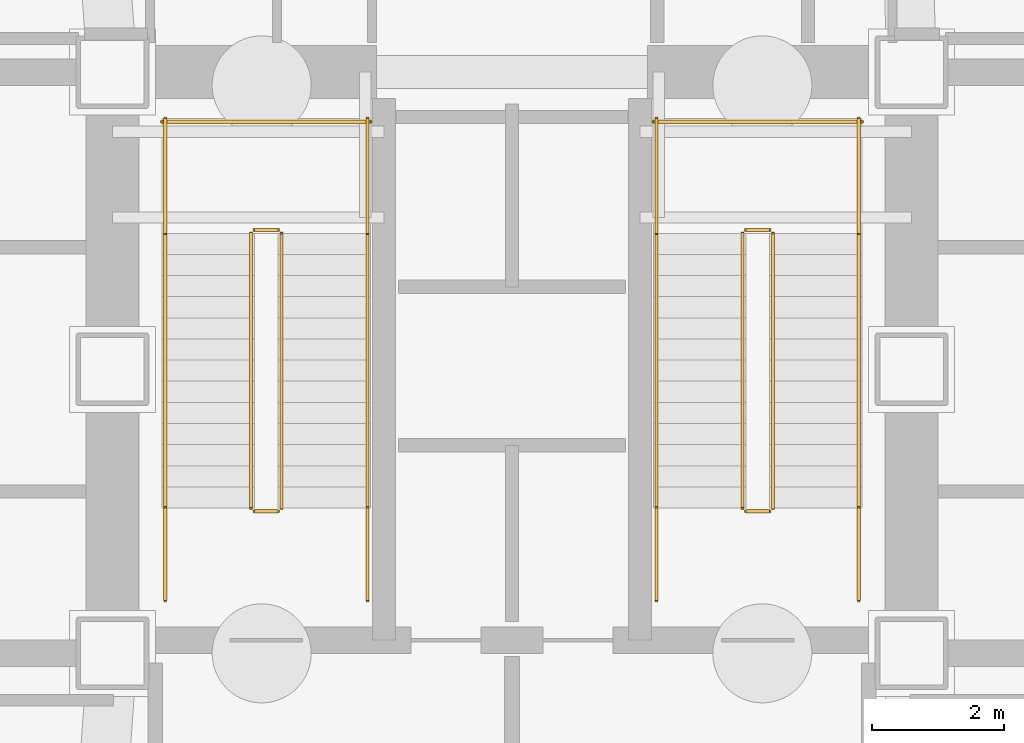
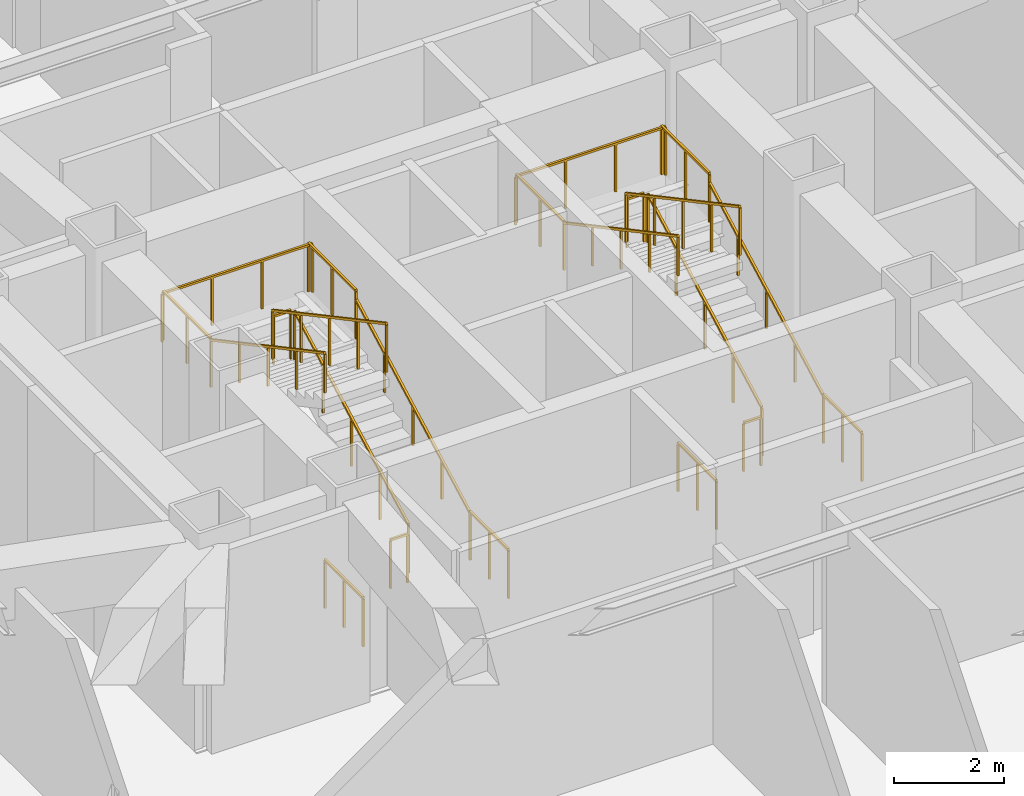
# One storey, part 7 of 7: 22 railings.
"""IFC4 building model written with IfcOpenShell, lengths in metres."""

from ifc_helpers import new_model, si_unit, direction, frame, origin, origin_2d, place, context, subcontext, project, spatial, rectangle, extrude, material, layer, layer_set, type_object, element, save


model = new_model("IFC4")

# Units and contexts
model_context = context("Model", 3, precision=1e-05, world=origin(), true_north=direction((0.0, 1.0)))
body_context = subcontext(model_context, "Body", "Model", "MODEL_VIEW")
ifc_project = project(units=[si_unit("LENGTHUNIT", "METRE"), si_unit("AREAUNIT", "SQUARE_METRE"), si_unit("VOLUMEUNIT", "CUBIC_METRE"), si_unit("PLANEANGLEUNIT", "RADIAN"), si_unit("MASSUNIT", "GRAM", prefix="KILO")], contexts=[model_context])

# Site, building, storey
site_placement = place(None, origin())
site = spatial("IfcSite", under=ifc_project, at=site_placement, CompositionType="ELEMENT")
building_placement = place(site_placement, origin())
building = spatial("IfcBuilding", under=site, at=building_placement, Name="Rocaltana Carrier Exchange", CompositionType="ELEMENT")
storey_placement = place(building_placement, frame((0.0, 0.0, -9.60009765625)))
storey = spatial("IfcBuildingStorey", under=building, at=storey_placement, Name="Lower Basement", CompositionType="ELEMENT", Elevation=-9.60009765625)

# Railings
ifc_material_1 = material(Name="Brushed Architectural Stainless Tube", Category="steel")
ifc_layer_1 = layer(ifc_material_1, 0.048095703125)
ifc_layer_set_1 = layer_set([ifc_layer_1], Name="Brushed Architectural Stainless Tube")
railing_type_1 = type_object("IfcRailingType", Name="Stair Wall Handrail 920", PredefinedType="HANDRAIL", material=ifc_layer_set_1)
railing_1_placement = place(storey_placement, frame((-2.18994140625, -2.10009765625, 0.171630859375)))
element("IfcRailing", 1, at=railing_1_placement, inside=storey, type_object=railing_type_1, Name="Lower Basement ST-1 stair handrail 1", PredefinedType="HANDRAIL", context=body_context, shape_type="SweptSolid", body=[
    extrude(rectangle(XDim=0.048095703125, YDim=0.048095703125, at=origin_2d()), frame((0.0, 0.0, 0.8759765625), z_axis=(0.0, 0.881492274372, 0.472198443689), x_axis=(-1.0, 0.0, 0.0)), (0.0, 0.0, 1.0), 4.719482421875),
    extrude(rectangle(XDim=0.0419921875, YDim=0.0419921875, at=origin_2d()), origin(), (0.0, 0.0, 1.0), 0.851806640625),
    extrude(rectangle(XDim=0.0419921875, YDim=0.0419921875, at=origin_2d()), frame((0.0, 1.0400390625, 0.55712890625)), (0.0, 0.0, 1.0), 0.851806640625),
    extrude(rectangle(XDim=0.0419921875, YDim=0.0419921875, at=origin_2d()), frame((0.0, 2.080078125, 1.1142578125)), (0.0, 0.0, 1.0), 0.851806640625),
    extrude(rectangle(XDim=0.0419921875, YDim=0.0419921875, at=origin_2d()), frame((0.0, 3.1201171875, 1.67138671875)), (0.0, 0.0, 1.0), 0.851806640625),
    extrude(rectangle(XDim=0.0419921875, YDim=0.0419921875, at=origin_2d()), frame((0.0, 4.16015625, 2.228515625)), (0.0, 0.0, 1.0), 0.851806640625),
])
railing_2_placement = place(storey_placement, frame((-5.25, 2.06005859375, 2.571533203125)))
element("IfcRailing", 2, at=railing_2_placement, inside=storey, type_object=railing_type_1, Name="Lower Basement ST-1 stair handrail 2", PredefinedType="HANDRAIL", context=body_context, shape_type="SweptSolid", body=[
    extrude(rectangle(XDim=0.048095703125, YDim=0.048095703125, at=origin_2d()), frame((0.0, 0.0, 0.8759765625), z_axis=(0.0, -0.881492274372, 0.472198443689), x_axis=(1.0, 0.0, 0.0)), (0.0, 0.0, 1.0), 4.719482421875),
    extrude(rectangle(XDim=0.0419921875, YDim=0.0419921875, at=origin_2d()), origin(), (0.0, 0.0, 1.0), 0.851806640625),
    extrude(rectangle(XDim=0.0419921875, YDim=0.0419921875, at=origin_2d()), frame((0.0, -1.0400390625, 0.55712890625)), (0.0, 0.0, 1.0), 0.851806640625),
    extrude(rectangle(XDim=0.0419921875, YDim=0.0419921875, at=origin_2d()), frame((0.0, -2.080078125, 1.1142578125)), (0.0, 0.0, 1.0), 0.851806640625),
    extrude(rectangle(XDim=0.0419921875, YDim=0.0419921875, at=origin_2d()), frame((0.0, -3.1201171875, 1.67138671875)), (0.0, 0.0, 1.0), 0.851806640625),
    extrude(rectangle(XDim=0.0419921875, YDim=0.0419921875, at=origin_2d()), frame((0.0, -4.16015625, 2.228515625)), (0.0, 0.0, 1.0), 0.851806640625),
])
railing_3_placement = place(storey_placement, frame((5.25, -2.10009765625, 0.171630859375)))
element("IfcRailing", 3, at=railing_3_placement, inside=storey, type_object=railing_type_1, Name="Lower Basement ST-2 stair handrail 1", PredefinedType="HANDRAIL", context=body_context, shape_type="SweptSolid", body=[
    extrude(rectangle(XDim=0.048095703125, YDim=0.048095703125, at=origin_2d()), frame((0.0, 0.0, 0.8759765625), z_axis=(0.0, 0.881492274372, 0.472198443689), x_axis=(-1.0, 0.0, 0.0)), (0.0, 0.0, 1.0), 4.719482421875),
    extrude(rectangle(XDim=0.0419921875, YDim=0.0419921875, at=origin_2d()), origin(), (0.0, 0.0, 1.0), 0.851806640625),
    extrude(rectangle(XDim=0.0419921875, YDim=0.0419921875, at=origin_2d()), frame((0.0, 1.0400390625, 0.55712890625)), (0.0, 0.0, 1.0), 0.851806640625),
    extrude(rectangle(XDim=0.0419921875, YDim=0.0419921875, at=origin_2d()), frame((0.0, 2.080078125, 1.1142578125)), (0.0, 0.0, 1.0), 0.851806640625),
    extrude(rectangle(XDim=0.0419921875, YDim=0.0419921875, at=origin_2d()), frame((0.0, 3.1201171875, 1.67138671875)), (0.0, 0.0, 1.0), 0.851806640625),
    extrude(rectangle(XDim=0.0419921875, YDim=0.0419921875, at=origin_2d()), frame((0.0, 4.16015625, 2.228515625)), (0.0, 0.0, 1.0), 0.851806640625),
])
railing_4_placement = place(storey_placement, frame((2.18994140625, 2.06005859375, 2.571533203125)))
element("IfcRailing", 4, at=railing_4_placement, inside=storey, type_object=railing_type_1, Name="Lower Basement ST-2 stair handrail 2", PredefinedType="HANDRAIL", context=body_context, shape_type="SweptSolid", body=[
    extrude(rectangle(XDim=0.048095703125, YDim=0.048095703125, at=origin_2d()), frame((0.0, 0.0, 0.8759765625), z_axis=(0.0, -0.881492274372, 0.472198443689), x_axis=(1.0, 0.0, 0.0)), (0.0, 0.0, 1.0), 4.719482421875),
    extrude(rectangle(XDim=0.0419921875, YDim=0.0419921875, at=origin_2d()), origin(), (0.0, 0.0, 1.0), 0.851806640625),
    extrude(rectangle(XDim=0.0419921875, YDim=0.0419921875, at=origin_2d()), frame((0.0, -1.0400390625, 0.55712890625)), (0.0, 0.0, 1.0), 0.851806640625),
    extrude(rectangle(XDim=0.0419921875, YDim=0.0419921875, at=origin_2d()), frame((0.0, -2.080078125, 1.1142578125)), (0.0, 0.0, 1.0), 0.851806640625),
    extrude(rectangle(XDim=0.0419921875, YDim=0.0419921875, at=origin_2d()), frame((0.0, -3.1201171875, 1.67138671875)), (0.0, 0.0, 1.0), 0.851806640625),
    extrude(rectangle(XDim=0.0419921875, YDim=0.0419921875, at=origin_2d()), frame((0.0, -4.16015625, 2.228515625)), (0.0, 0.0, 1.0), 0.851806640625),
])
ifc_material_2 = material(Name="Powder-Coated Aluminium 6063-T6", Category="aluminium")
ifc_layer_2 = layer(ifc_material_2, 0.048095703125)
ifc_layer_set_2 = layer_set([ifc_layer_2], Name="Powder-Coated Aluminium 6063-T6")
railing_type_2 = type_object("IfcRailingType", Name="Stair Well Guardrail 1100", PredefinedType="GUARDRAIL", material=ifc_layer_set_2)
railing_5_placement = place(storey_placement, frame((-3.489990234375, -2.10009765625, 0.171630859375)))
element("IfcRailing", 5, at=railing_5_placement, inside=storey, type_object=railing_type_2, Name="Lower Basement ST-1 stair guard 1", PredefinedType="GUARDRAIL", context=body_context, shape_type="SweptSolid", body=[
    extrude(rectangle(XDim=0.048095703125, YDim=0.048095703125, at=origin_2d()), frame((0.0, 0.0, 1.076171875), z_axis=(0.0, 0.881492274372, 0.472198443689), x_axis=(-1.0, 0.0, 0.0)), (0.0, 0.0, 1.0), 4.719482421875),
    extrude(rectangle(XDim=0.0419921875, YDim=0.0419921875, at=origin_2d()), origin(), (0.0, 0.0, 1.0), 1.052001953125),
    extrude(rectangle(XDim=0.0419921875, YDim=0.0419921875, at=origin_2d()), frame((0.0, 1.0400390625, 0.55712890625)), (0.0, 0.0, 1.0), 1.052001953125),
    extrude(rectangle(XDim=0.0419921875, YDim=0.0419921875, at=origin_2d()), frame((0.0, 2.080078125, 1.1142578125)), (0.0, 0.0, 1.0), 1.052001953125),
    extrude(rectangle(XDim=0.0419921875, YDim=0.0419921875, at=origin_2d()), frame((0.0, 3.1201171875, 1.67138671875)), (0.0, 0.0, 1.0), 1.052001953125),
    extrude(rectangle(XDim=0.0419921875, YDim=0.0419921875, at=origin_2d()), frame((0.0, 4.16015625, 2.228515625)), (0.0, 0.0, 1.0), 1.052001953125),
])
railing_6_placement = place(storey_placement, frame((-3.5400390625, 2.110107421875, 2.400146484375)))
element("IfcRailing", 6, at=railing_6_placement, inside=storey, type_object=railing_type_2, Name="Lower Basement ST-1 stair guard 2", PredefinedType="GUARDRAIL", context=body_context, shape_type="SweptSolid", body=[
    extrude(rectangle(XDim=0.048095703125, YDim=0.048095703125, at=origin_2d()), frame((0.0, 0.0, 1.076171875), z_axis=(-1.0, 0.0, 0.0), x_axis=(0.0, -1.0, 0.0)), (0.0, 0.0, 1.0), 0.35986328125),
    extrude(rectangle(XDim=0.0419921875, YDim=0.0419921875, at=origin_2d()), origin(), (0.0, 0.0, 1.0), 1.052001953125),
    extrude(rectangle(XDim=0.0419921875, YDim=0.0419921875, at=origin_2d()), frame((-0.35986328125, 0.0, 0.0)), (0.0, 0.0, 1.0), 1.052001953125),
])
for number, where, name in (
    (7, (-2.18994140625, 2.06005859375, 2.400146484375), "Lower Basement ST-1 stair guard 3"),
    (8, (-5.25, 2.06005859375, 2.400146484375), "Lower Basement ST-1 stair guard 4"),
):
    element("IfcRailing", number, at=place(storey_placement, frame(where)), inside=storey, type_object=railing_type_2, Name=name, PredefinedType="GUARDRAIL", context=body_context, shape_type="SweptSolid", body=[
        extrude(rectangle(XDim=0.048095703125, YDim=0.048095703125, at=origin_2d()), frame((0.0, 0.0, 1.076171875), z_axis=(0.0, 1.0, 0.0), x_axis=(-1.0, 0.0, 0.0)), (0.0, 0.0, 1.0), 1.739990234375),
        extrude(rectangle(XDim=0.0419921875, YDim=0.0419921875, at=origin_2d()), origin(), (0.0, 0.0, 1.0), 1.052001953125),
        extrude(rectangle(XDim=0.0419921875, YDim=0.0419921875, at=origin_2d()), frame((0.0, 0.8701171875, 0.0)), (0.0, 0.0, 1.0), 1.052001953125),
        extrude(rectangle(XDim=0.0419921875, YDim=0.0419921875, at=origin_2d()), frame((0.0, 1.739990234375, 0.0)), (0.0, 0.0, 1.0), 1.052001953125),
    ])
railing_7_placement = place(storey_placement, frame((-2.139892578125, 3.75, 2.400146484375)))
element("IfcRailing", 9, at=railing_7_placement, inside=storey, type_object=railing_type_2, Name="Lower Basement ST-1 stair guard 5", PredefinedType="GUARDRAIL", context=body_context, shape_type="SweptSolid", body=[
    extrude(rectangle(XDim=0.048095703125, YDim=0.048095703125, at=origin_2d()), frame((0.0, 0.0, 1.076171875), z_axis=(-1.0, 0.0, 0.0), x_axis=(0.0, -1.0, 0.0)), (0.0, 0.0, 1.0), 3.16015625),
    extrude(rectangle(XDim=0.0419921875, YDim=0.0419921875, at=origin_2d()), origin(), (0.0, 0.0, 1.0), 1.052001953125),
    extrude(rectangle(XDim=0.0419921875, YDim=0.0419921875, at=origin_2d()), frame((-1.053466796875, 0.0, 0.0)), (0.0, 0.0, 1.0), 1.052001953125),
    extrude(rectangle(XDim=0.0419921875, YDim=0.0419921875, at=origin_2d()), frame((-2.106689453125, 0.0, 0.0)), (0.0, 0.0, 1.0), 1.052001953125),
    extrude(rectangle(XDim=0.0419921875, YDim=0.0419921875, at=origin_2d()), frame((-3.16015625, 0.0, 0.0)), (0.0, 0.0, 1.0), 1.052001953125),
])
railing_8_placement = place(storey_placement, frame((-3.949951171875, 2.06005859375, 2.571533203125)))
element("IfcRailing", 10, at=railing_8_placement, inside=storey, type_object=railing_type_2, Name="Lower Basement ST-1 stair guard 6", PredefinedType="GUARDRAIL", context=body_context, shape_type="SweptSolid", body=[
    extrude(rectangle(XDim=0.048095703125, YDim=0.048095703125, at=origin_2d()), frame((0.0, 0.0, 1.076171875), z_axis=(0.0, -0.881492274372, 0.472198443689), x_axis=(1.0, 0.0, 0.0)), (0.0, 0.0, 1.0), 4.719482421875),
    extrude(rectangle(XDim=0.0419921875, YDim=0.0419921875, at=origin_2d()), origin(), (0.0, 0.0, 1.0), 1.052001953125),
    extrude(rectangle(XDim=0.0419921875, YDim=0.0419921875, at=origin_2d()), frame((0.0, -1.0400390625, 0.55712890625)), (0.0, 0.0, 1.0), 1.052001953125),
    extrude(rectangle(XDim=0.0419921875, YDim=0.0419921875, at=origin_2d()), frame((0.0, -2.080078125, 1.1142578125)), (0.0, 0.0, 1.0), 1.052001953125),
    extrude(rectangle(XDim=0.0419921875, YDim=0.0419921875, at=origin_2d()), frame((0.0, -3.1201171875, 1.67138671875)), (0.0, 0.0, 1.0), 1.052001953125),
    extrude(rectangle(XDim=0.0419921875, YDim=0.0419921875, at=origin_2d()), frame((0.0, -4.16015625, 2.228515625)), (0.0, 0.0, 1.0), 1.052001953125),
])
railing_9_placement = place(storey_placement, frame((-3.5400390625, -2.14990234375, 0.0)))
element("IfcRailing", 11, at=railing_9_placement, inside=storey, type_object=railing_type_2, Name="Lower Basement ST-1 stair guard 7", PredefinedType="GUARDRAIL", context=body_context, shape_type="SweptSolid", body=[
    extrude(rectangle(XDim=0.048095703125, YDim=0.048095703125, at=origin_2d()), frame((0.0, 0.0, 1.076171875), z_axis=(-1.0, 0.0, 0.0), x_axis=(0.0, -1.0, 0.0)), (0.0, 0.0, 1.0), 0.35986328125),
    extrude(rectangle(XDim=0.0419921875, YDim=0.0419921875, at=origin_2d()), origin(), (0.0, 0.0, 1.0), 1.052001953125),
    extrude(rectangle(XDim=0.0419921875, YDim=0.0419921875, at=origin_2d()), frame((-0.35986328125, 0.0, 0.0)), (0.0, 0.0, 1.0), 1.052001953125),
])
for number, where, name in (
    (12, (-2.18994140625, -3.5, 0.0), "Lower Basement ST-1 stair guard 8"),
    (13, (-5.25, -3.5, 0.0), "Lower Basement ST-1 stair guard 9"),
):
    element("IfcRailing", number, at=place(storey_placement, frame(where)), inside=storey, type_object=railing_type_2, Name=name, PredefinedType="GUARDRAIL", context=body_context, shape_type="SweptSolid", body=[
        extrude(rectangle(XDim=0.048095703125, YDim=0.048095703125, at=origin_2d()), frame((0.0, 0.0, 1.076171875), z_axis=(0.0, 1.0, 0.0), x_axis=(-1.0, 0.0, 0.0)), (0.0, 0.0, 1.0), 1.39990234375),
        extrude(rectangle(XDim=0.0419921875, YDim=0.0419921875, at=origin_2d()), origin(), (0.0, 0.0, 1.0), 1.052001953125),
        extrude(rectangle(XDim=0.0419921875, YDim=0.0419921875, at=origin_2d()), frame((0.0, 0.699951171875, 0.0)), (0.0, 0.0, 1.0), 1.052001953125),
        extrude(rectangle(XDim=0.0419921875, YDim=0.0419921875, at=origin_2d()), frame((0.0, 1.39990234375, 0.0)), (0.0, 0.0, 1.0), 1.052001953125),
    ])
railing_10_placement = place(storey_placement, frame((3.949951171875, -2.10009765625, 0.171630859375)))
element("IfcRailing", 14, at=railing_10_placement, inside=storey, type_object=railing_type_2, Name="Lower Basement ST-2 stair guard 1", PredefinedType="GUARDRAIL", context=body_context, shape_type="SweptSolid", body=[
    extrude(rectangle(XDim=0.048095703125, YDim=0.048095703125, at=origin_2d()), frame((0.0, 0.0, 1.076171875), z_axis=(0.0, 0.881492274372, 0.472198443689), x_axis=(-1.0, 0.0, 0.0)), (0.0, 0.0, 1.0), 4.719482421875),
    extrude(rectangle(XDim=0.0419921875, YDim=0.0419921875, at=origin_2d()), origin(), (0.0, 0.0, 1.0), 1.052001953125),
    extrude(rectangle(XDim=0.0419921875, YDim=0.0419921875, at=origin_2d()), frame((0.0, 1.0400390625, 0.55712890625)), (0.0, 0.0, 1.0), 1.052001953125),
    extrude(rectangle(XDim=0.0419921875, YDim=0.0419921875, at=origin_2d()), frame((0.0, 2.080078125, 1.1142578125)), (0.0, 0.0, 1.0), 1.052001953125),
    extrude(rectangle(XDim=0.0419921875, YDim=0.0419921875, at=origin_2d()), frame((0.0, 3.1201171875, 1.67138671875)), (0.0, 0.0, 1.0), 1.052001953125),
    extrude(rectangle(XDim=0.0419921875, YDim=0.0419921875, at=origin_2d()), frame((0.0, 4.16015625, 2.228515625)), (0.0, 0.0, 1.0), 1.052001953125),
])
railing_11_placement = place(storey_placement, frame((3.89990234375, 2.110107421875, 2.400146484375)))
element("IfcRailing", 15, at=railing_11_placement, inside=storey, type_object=railing_type_2, Name="Lower Basement ST-2 stair guard 2", PredefinedType="GUARDRAIL", context=body_context, shape_type="SweptSolid", body=[
    extrude(rectangle(XDim=0.048095703125, YDim=0.048095703125, at=origin_2d()), frame((0.0, 0.0, 1.076171875), z_axis=(-1.0, 0.0, 0.0), x_axis=(0.0, -1.0, 0.0)), (0.0, 0.0, 1.0), 0.35986328125),
    extrude(rectangle(XDim=0.0419921875, YDim=0.0419921875, at=origin_2d()), origin(), (0.0, 0.0, 1.0), 1.052001953125),
    extrude(rectangle(XDim=0.0419921875, YDim=0.0419921875, at=origin_2d()), frame((-0.35986328125, 0.0, 0.0)), (0.0, 0.0, 1.0), 1.052001953125),
])
for number, where, name in (
    (16, (5.25, 2.06005859375, 2.400146484375), "Lower Basement ST-2 stair guard 3"),
    (17, (2.18994140625, 2.06005859375, 2.400146484375), "Lower Basement ST-2 stair guard 4"),
):
    element("IfcRailing", number, at=place(storey_placement, frame(where)), inside=storey, type_object=railing_type_2, Name=name, PredefinedType="GUARDRAIL", context=body_context, shape_type="SweptSolid", body=[
        extrude(rectangle(XDim=0.048095703125, YDim=0.048095703125, at=origin_2d()), frame((0.0, 0.0, 1.076171875), z_axis=(0.0, 1.0, 0.0), x_axis=(-1.0, 0.0, 0.0)), (0.0, 0.0, 1.0), 1.739990234375),
        extrude(rectangle(XDim=0.0419921875, YDim=0.0419921875, at=origin_2d()), origin(), (0.0, 0.0, 1.0), 1.052001953125),
        extrude(rectangle(XDim=0.0419921875, YDim=0.0419921875, at=origin_2d()), frame((0.0, 0.8701171875, 0.0)), (0.0, 0.0, 1.0), 1.052001953125),
        extrude(rectangle(XDim=0.0419921875, YDim=0.0419921875, at=origin_2d()), frame((0.0, 1.739990234375, 0.0)), (0.0, 0.0, 1.0), 1.052001953125),
    ])
railing_12_placement = place(storey_placement, frame((5.300048828125, 3.75, 2.400146484375)))
element("IfcRailing", 18, at=railing_12_placement, inside=storey, type_object=railing_type_2, Name="Lower Basement ST-2 stair guard 5", PredefinedType="GUARDRAIL", context=body_context, shape_type="SweptSolid", body=[
    extrude(rectangle(XDim=0.048095703125, YDim=0.048095703125, at=origin_2d()), frame((0.0, 0.0, 1.076171875), z_axis=(-1.0, 0.0, 0.0), x_axis=(0.0, -1.0, 0.0)), (0.0, 0.0, 1.0), 3.16015625),
    extrude(rectangle(XDim=0.0419921875, YDim=0.0419921875, at=origin_2d()), origin(), (0.0, 0.0, 1.0), 1.052001953125),
    extrude(rectangle(XDim=0.0419921875, YDim=0.0419921875, at=origin_2d()), frame((-1.053466796875, 0.0, 0.0)), (0.0, 0.0, 1.0), 1.052001953125),
    extrude(rectangle(XDim=0.0419921875, YDim=0.0419921875, at=origin_2d()), frame((-2.106689453125, 0.0, 0.0)), (0.0, 0.0, 1.0), 1.052001953125),
    extrude(rectangle(XDim=0.0419921875, YDim=0.0419921875, at=origin_2d()), frame((-3.16015625, 0.0, 0.0)), (0.0, 0.0, 1.0), 1.052001953125),
])
railing_13_placement = place(storey_placement, frame((3.489990234375, 2.06005859375, 2.571533203125)))
element("IfcRailing", 19, at=railing_13_placement, inside=storey, type_object=railing_type_2, Name="Lower Basement ST-2 stair guard 6", PredefinedType="GUARDRAIL", context=body_context, shape_type="SweptSolid", body=[
    extrude(rectangle(XDim=0.048095703125, YDim=0.048095703125, at=origin_2d()), frame((0.0, 0.0, 1.076171875), z_axis=(0.0, -0.881492274372, 0.472198443689), x_axis=(1.0, 0.0, 0.0)), (0.0, 0.0, 1.0), 4.719482421875),
    extrude(rectangle(XDim=0.0419921875, YDim=0.0419921875, at=origin_2d()), origin(), (0.0, 0.0, 1.0), 1.052001953125),
    extrude(rectangle(XDim=0.0419921875, YDim=0.0419921875, at=origin_2d()), frame((0.0, -1.0400390625, 0.55712890625)), (0.0, 0.0, 1.0), 1.052001953125),
    extrude(rectangle(XDim=0.0419921875, YDim=0.0419921875, at=origin_2d()), frame((0.0, -2.080078125, 1.1142578125)), (0.0, 0.0, 1.0), 1.052001953125),
    extrude(rectangle(XDim=0.0419921875, YDim=0.0419921875, at=origin_2d()), frame((0.0, -3.1201171875, 1.67138671875)), (0.0, 0.0, 1.0), 1.052001953125),
    extrude(rectangle(XDim=0.0419921875, YDim=0.0419921875, at=origin_2d()), frame((0.0, -4.16015625, 2.228515625)), (0.0, 0.0, 1.0), 1.052001953125),
])
railing_14_placement = place(storey_placement, frame((3.89990234375, -2.14990234375, 0.0)))
element("IfcRailing", 20, at=railing_14_placement, inside=storey, type_object=railing_type_2, Name="Lower Basement ST-2 stair guard 7", PredefinedType="GUARDRAIL", context=body_context, shape_type="SweptSolid", body=[
    extrude(rectangle(XDim=0.048095703125, YDim=0.048095703125, at=origin_2d()), frame((0.0, 0.0, 1.076171875), z_axis=(-1.0, 0.0, 0.0), x_axis=(0.0, -1.0, 0.0)), (0.0, 0.0, 1.0), 0.35986328125),
    extrude(rectangle(XDim=0.0419921875, YDim=0.0419921875, at=origin_2d()), origin(), (0.0, 0.0, 1.0), 1.052001953125),
    extrude(rectangle(XDim=0.0419921875, YDim=0.0419921875, at=origin_2d()), frame((-0.35986328125, 0.0, 0.0)), (0.0, 0.0, 1.0), 1.052001953125),
])
for number, where, name in (
    (21, (5.25, -3.5, 0.0), "Lower Basement ST-2 stair guard 8"),
    (22, (2.18994140625, -3.5, 0.0), "Lower Basement ST-2 stair guard 9"),
):
    element("IfcRailing", number, at=place(storey_placement, frame(where)), inside=storey, type_object=railing_type_2, Name=name, PredefinedType="GUARDRAIL", context=body_context, shape_type="SweptSolid", body=[
        extrude(rectangle(XDim=0.048095703125, YDim=0.048095703125, at=origin_2d()), frame((0.0, 0.0, 1.076171875), z_axis=(0.0, 1.0, 0.0), x_axis=(-1.0, 0.0, 0.0)), (0.0, 0.0, 1.0), 1.39990234375),
        extrude(rectangle(XDim=0.0419921875, YDim=0.0419921875, at=origin_2d()), origin(), (0.0, 0.0, 1.0), 1.052001953125),
        extrude(rectangle(XDim=0.0419921875, YDim=0.0419921875, at=origin_2d()), frame((0.0, 0.699951171875, 0.0)), (0.0, 0.0, 1.0), 1.052001953125),
        extrude(rectangle(XDim=0.0419921875, YDim=0.0419921875, at=origin_2d()), frame((0.0, 1.39990234375, 0.0)), (0.0, 0.0, 1.0), 1.052001953125),
    ])

save(model, "model.ifc")
